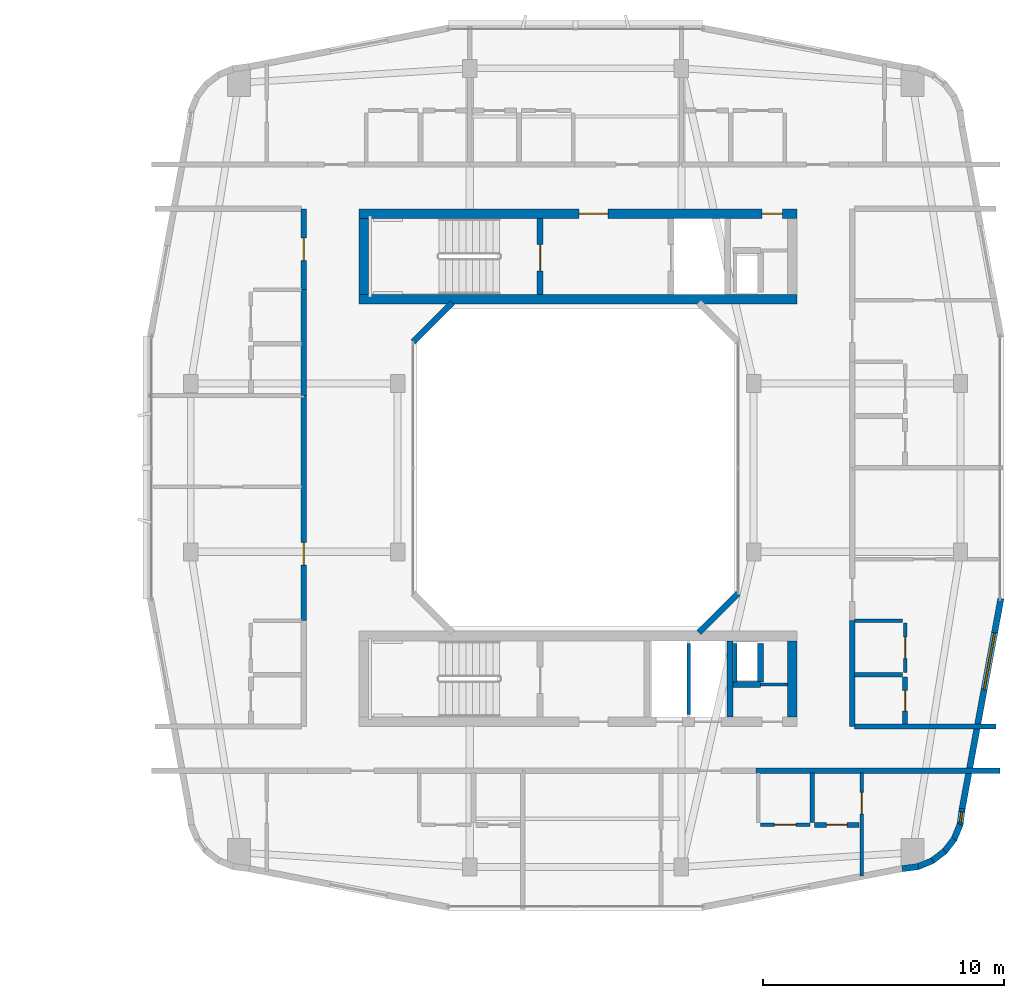
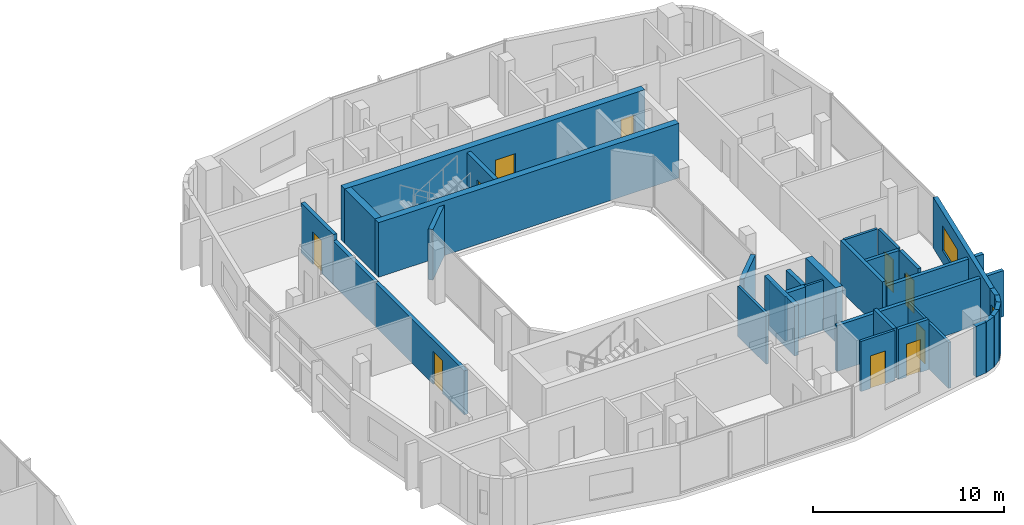
# One storey, part 18 of 26: 34 walls, 10 doors, 2 windows, 12 openings.
"""IFC4 building model written with IfcOpenShell, lengths in metres."""

from ifc_helpers import new_model, si_unit, derived_unit, direction, frame, frame_2d, origin, place, context, subcontext, project, spatial, rectangle, extrude, material, layer, layer_set, type_object, element, fill, save


model = new_model("IFC4")

# Units and contexts
model_context = context("Model", 3, precision=1e-05, world=origin(), true_north=direction((0.0, 1.0)))
body_context = subcontext(model_context, "Body", "Model", "MODEL_VIEW")
ifc_project = project(units=[si_unit("LENGTHUNIT", "METRE"), si_unit("AREAUNIT", "SQUARE_METRE"), si_unit("VOLUMEUNIT", "CUBIC_METRE"), si_unit("PLANEANGLEUNIT", "RADIAN"), si_unit("MASSUNIT", "GRAM", prefix="KILO"), derived_unit("THERMALTRANSMITTANCEUNIT", [(si_unit("POWERUNIT", "WATT"), 1), (si_unit("LENGTHUNIT", "METRE"), -2), (si_unit("THERMODYNAMICTEMPERATUREUNIT", "KELVIN"), -1)])], contexts=[model_context])

# Site, building, storey
site_placement = place(None, origin())
site = spatial("IfcSite", under=ifc_project, at=site_placement, CompositionType="ELEMENT")
building_placement = place(site_placement, origin())
building = spatial("IfcBuilding", under=site, at=building_placement, Name="Kivonza Crest Hotel", CompositionType="ELEMENT")
storey_placement = place(building_placement, frame((0.0, 0.0, 98.5)))
storey = spatial("IfcBuildingStorey", under=building, at=storey_placement, Name="L26", CompositionType="ELEMENT", Elevation=98.5)

# Wall
ifc_material_1 = material(Name="Autoclaved aerated concrete blockwork", Category="masonry")
ifc_layer_1 = layer(ifc_material_1, 0.219970703125)
ifc_layer_set_1 = layer_set([ifc_layer_1], Name="Autoclaved aerated concrete blockwork")
wall_type_1 = type_object("IfcWallType", Name="WL-ACOU-220", PredefinedType="SOLIDWALL", material=ifc_layer_set_1)
wall_1_placement = place(storey_placement, frame((84.510009765625, 12.39990234375, 0.0), z_axis=(0.0, 0.0, 1.0), x_axis=(1.0, 0.0, 0.0)))
element("IfcWall", 1, at=wall_1_placement, inside=storey, type_object=wall_type_1, Name="L26 interior partition WA-L26-A05-RCORR", PredefinedType="SOLIDWALL", context=body_context, shape_type="SweptSolid", body=[
    extrude(rectangle(XDim=10.1298828125, YDim=0.219970703125, at=frame_2d((5.06494140625, 0.0))), origin(), (0.0, 0.0, 1.0), 2.945068359375),
])

# Wall, opening, door
wall_2_placement = place(storey_placement, frame((65.699951171875, 18.639892578125, 0.0), z_axis=(0.0, 0.0, 1.0), x_axis=(0.0, 1.0, 0.0)))
wall_2 = element("IfcWall", 2, at=wall_2_placement, inside=storey, type_object=wall_type_1, Name="L26 interior partition WA-L26-A06-MCORR", PredefinedType="SOLIDWALL", context=body_context, shape_type="SweptSolid", body=[
    extrude(rectangle(XDim=9.360107421875, YDim=0.219970703125, at=frame_2d((4.68017578125, 0.0))), origin(), (0.0, 0.0, 1.0), 2.824951171875),
])
opening_1_placement = place(wall_2_placement, frame((2.304931640625, 0.0, 0.0)))
opening_1 = element("IfcOpeningElement", 3, at=opening_1_placement, cuts=wall_2, Name="Opening DU-60", PredefinedType="OPENING", context=body_context, shape_type="SweptSolid", body=[
    extrude(rectangle(XDim=0.949951171875, YDim=2.10009765625, at=frame_2d((0.47509765625, 1.050048828125))), frame((0.0, 0.1201171875, 0.0), z_axis=(0.0, -1.0, 0.0), x_axis=(1.0, 0.0, 0.0)), (0.0, 0.0, 1.0), 0.239990234375),
])
ifc_material_2 = material(Name="Hardwood timber oak", Category="wood")
door_type_1 = type_object("IfcDoorType", Name="DR-UNIT-950", OperationType="NOTDEFINED", PredefinedType="DOOR", material=ifc_material_2)
door_1_placement = place(opening_1_placement, origin())
door_1 = element("IfcDoor", 4, at=door_1_placement, inside=storey, type_object=door_type_1, Name="L26 A06 apartment entrance fire door", OperationType="SINGLE_SWING_RIGHT", OverallHeight=2.10009765625, OverallWidth=0.949951171875, PredefinedType="DOOR", context=body_context, shape_type="SweptSolid", body=[
    extrude(rectangle(XDim=0.949951171875, YDim=2.10009765625, at=frame_2d((0.47509765625, 1.050048828125))), frame((0.0, 0.02490234375, 0.0), z_axis=(0.0, -1.0, 0.0), x_axis=(1.0, 0.0, 0.0)), (0.0, 0.0, 1.0), 0.050048828125),
])
fill(opening_1, door_1)

# Wall
wall_3_placement = place(storey_placement, frame((65.699951171875, 28.0, 0.0), z_axis=(0.0, 0.0, 1.0), x_axis=(0.0, 1.0, 0.0)))
element("IfcWall", 5, at=wall_3_placement, inside=storey, type_object=wall_type_1, Name="L26 interior partition WA-L26-A07-BCORR", PredefinedType="SOLIDWALL", context=body_context, shape_type="SweptSolid", body=[
    extrude(rectangle(XDim=4.39990234375, YDim=0.219970703125, at=frame_2d((2.199951171875, 0.0))), origin(), (0.0, 0.0, 1.0), 2.824951171875),
])

# Wall, opening, door
wall_4_placement = place(storey_placement, frame((65.699951171875, 32.39990234375, 0.0), z_axis=(0.0, 0.0, 1.0), x_axis=(0.0, 1.0, 0.0)))
wall_4 = element("IfcWall", 6, at=wall_4_placement, inside=storey, type_object=wall_type_1, Name="L26 interior partition WA-L26-A07-MCORR", PredefinedType="SOLIDWALL", context=body_context, shape_type="SweptSolid", body=[
    extrude(rectangle(XDim=3.360107421875, YDim=0.219970703125, at=frame_2d((1.68017578125, 0.0))), origin(), (0.0, 0.0, 1.0), 3.219970703125),
])
opening_2_placement = place(wall_4_placement, frame((1.205078125, 0.0, 0.0)))
opening_2 = element("IfcOpeningElement", 7, at=opening_2_placement, cuts=wall_4, Name="Opening DU-60", PredefinedType="OPENING", context=body_context, shape_type="SweptSolid", body=[
    extrude(rectangle(XDim=0.949951171875, YDim=2.10009765625, at=frame_2d((0.47509765625, 1.050048828125))), frame((0.0, 0.1201171875, 0.0), z_axis=(0.0, -1.0, 0.0), x_axis=(1.0, 0.0, 0.0)), (0.0, 0.0, 1.0), 0.239990234375),
])
door_2_placement = place(opening_2_placement, origin())
door_2 = element("IfcDoor", 8, at=door_2_placement, inside=storey, type_object=door_type_1, Name="L26 A07 apartment entrance fire door", OperationType="SINGLE_SWING_LEFT", OverallHeight=2.10009765625, OverallWidth=0.949951171875, PredefinedType="DOOR", context=body_context, shape_type="SweptSolid", body=[
    extrude(rectangle(XDim=0.949951171875, YDim=2.10009765625, at=frame_2d((0.47509765625, 1.050048828125))), frame((0.0, 0.02490234375, 0.0), z_axis=(0.0, -1.0, 0.0), x_axis=(1.0, 0.0, 0.0)), (0.0, 0.0, 1.0), 0.050048828125),
])
fill(opening_2, door_2)

# Walls
wall_5_placement = place(storey_placement, frame((88.60009765625, 14.239990234375, 0.0), z_axis=(0.0, 0.0, 1.0), x_axis=(1.0, 0.0, 0.0)))
element("IfcWall", 9, at=wall_5_placement, inside=storey, type_object=wall_type_1, Name="L26 interior partition WA-L26-T2E-ENDS", PredefinedType="SOLIDWALL", context=body_context, shape_type="SweptSolid", body=[
    extrude(rectangle(XDim=5.8798828125, YDim=0.219970703125, at=frame_2d((2.93994140625, 0.0))), origin(), (0.0, 0.0, 1.0), 2.945068359375),
])
wall_6_placement = place(storey_placement, frame((88.5, 14.239990234375, 0.0), z_axis=(0.0, 0.0, 1.0), x_axis=(0.0, 1.0, 0.0)))
element("IfcWall", 10, at=wall_6_placement, inside=storey, type_object=wall_type_1, Name="L26 interior partition WA-L26-A08-BCORR", PredefinedType="SOLIDWALL", context=body_context, shape_type="SweptSolid", body=[
    extrude(rectangle(XDim=4.39990234375, YDim=0.219970703125, at=frame_2d((2.199951171875, 0.0))), origin(), (0.0, 0.0, 1.0), 3.219970703125),
])
ifc_material_3 = material(Name="Concrete C50/60", Category="concrete")
ifc_layer_2 = layer(ifc_material_3, 0.39990234375)
ifc_layer_set_2 = layer_set([ifc_layer_2], Name="Concrete C50/60")
wall_type_2 = type_object("IfcWallType", Name="WL-CORE-400", PredefinedType="SHEAR", material=ifc_layer_set_2)
wall_7_placement = place(storey_placement, frame((68.0, 32.0, 0.0), z_axis=(0.0, 0.0, 1.0), x_axis=(1.0, 0.0, 0.0)))
element("IfcWall", 11, at=wall_7_placement, inside=storey, type_object=wall_type_2, Name="Core wall T2-N South L26", PredefinedType="SHEAR", context=body_context, shape_type="SweptSolid", body=[
    extrude(rectangle(XDim=18.199951171875, YDim=0.39990234375, at=frame_2d((9.10009765625, 0.0))), origin(), (0.0, 0.0, 1.0), 3.5),
])

# Wall, openings, doors
wall_8_placement = place(storey_placement, frame((68.0, 35.56005859375, 0.0), z_axis=(0.0, 0.0, 1.0), x_axis=(1.0, 0.0, 0.0)))
wall_8 = element("IfcWall", 12, at=wall_8_placement, inside=storey, type_object=wall_type_2, Name="Core wall T2-N North L26", PredefinedType="SHEAR", context=body_context, shape_type="SweptSolid", body=[
    extrude(rectangle(XDim=18.199951171875, YDim=0.39990234375, at=frame_2d((9.10009765625, 0.0))), origin(), (0.0, 0.0, 1.0), 3.5),
])
opening_3_placement = place(wall_8_placement, frame((9.14990234375, 0.0, 0.0)))
opening_3 = element("IfcOpeningElement", 13, at=opening_3_placement, cuts=wall_8, Name="Opening DF-60", PredefinedType="OPENING", context=body_context, shape_type="SweptSolid", body=[
    extrude(rectangle(XDim=1.199951171875, YDim=2.14990234375, at=frame_2d((0.60009765625, 1.074951171875))), frame((0.0, 0.2099609375, 0.0), z_axis=(0.0, -1.0, 0.0), x_axis=(1.0, 0.0, 0.0)), (0.0, 0.0, 1.0), 0.419921875),
])
opening_4_placement = place(wall_8_placement, frame((16.75, 0.0, 0.0)))
opening_4 = element("IfcOpeningElement", 14, at=opening_4_placement, cuts=wall_8, Name="Opening DF-60R", PredefinedType="OPENING", context=body_context, shape_type="SweptSolid", body=[
    extrude(rectangle(XDim=0.85009765625, YDim=2.10009765625, at=frame_2d((0.425048828125, 1.050048828125))), frame((0.0, 0.2099609375, 0.0), z_axis=(0.0, -1.0, 0.0), x_axis=(1.0, 0.0, 0.0)), (0.0, 0.0, 1.0), 0.419921875),
])
door_type_2 = type_object("IfcDoorType", Name="DR-FD60-1200", OperationType="NOTDEFINED", PredefinedType="DOOR", material=ifc_material_2)
door_3_placement = place(opening_3_placement, origin())
door_3 = element("IfcDoor", 15, at=door_3_placement, inside=storey, type_object=door_type_2, Name="L26 T2-N firefighting lobby fire door", OperationType="SINGLE_SWING_RIGHT", OverallHeight=2.14990234375, OverallWidth=1.199951171875, PredefinedType="DOOR", context=body_context, shape_type="SweptSolid", body=[
    extrude(rectangle(XDim=1.199951171875, YDim=2.14990234375, at=frame_2d((0.60009765625, 1.074951171875))), frame((0.0, 0.02490234375, 0.0), z_axis=(0.0, -1.0, 0.0), x_axis=(1.0, 0.0, 0.0)), (0.0, 0.0, 1.0), 0.050048828125),
])
fill(opening_3, door_3)
door_type_3 = type_object("IfcDoorType", Name="DR-FD60-850", OperationType="NOTDEFINED", PredefinedType="DOOR", material=ifc_material_2)
door_4_placement = place(opening_4_placement, origin())
door_4 = element("IfcDoor", 16, at=door_4_placement, inside=storey, type_object=door_type_3, Name="L26 T2-N core room door", OperationType="SINGLE_SWING_RIGHT", OverallHeight=2.10009765625, OverallWidth=0.85009765625, PredefinedType="DOOR", context=body_context, shape_type="SweptSolid", body=[
    extrude(rectangle(XDim=0.85009765625, YDim=2.10009765625, at=frame_2d((0.425048828125, 1.050048828125))), frame((0.0, 0.02490234375, 0.0), z_axis=(0.0, -1.0, 0.0), x_axis=(1.0, 0.0, 0.0)), (0.0, 0.0, 1.0), 0.050048828125),
])
fill(opening_4, door_4)

# Walls
for number, where, z_axis, x_axis, name in (
    (17, (68.199951171875, 32.199951171875, 0.0), (0.0, 0.0, 1.0), (0.0, 1.0, 0.0), "Core wall T2-N West L26"),
    (18, (86.0, 14.639892578125, 0.0), (0.0, 0.0, 1.0), (0.0, 1.0, 0.0), "Core wall T2-S East L26"),
):
    element("IfcWall", number, at=place(storey_placement, frame(where, z_axis=z_axis, x_axis=x_axis)), inside=storey, type_object=wall_type_2, Name=name, PredefinedType="SHEAR", context=body_context, shape_type="SweptSolid", body=[
        extrude(rectangle(XDim=3.16015625, YDim=0.39990234375, at=frame_2d((1.580078125, 0.0))), origin(), (0.0, 0.0, 1.0), 3.5),
    ])
ifc_material_4 = material(Name="Precast concrete C40/50", Category="concrete")
ifc_layer_3 = layer(ifc_material_4, 0.260009765625)
ifc_layer_set_3 = layer_set([ifc_layer_3], Name="Precast concrete C40/50")
wall_type_3 = type_object("IfcWallType", Name="WL-EXT-260", PredefinedType="STANDARD", material=ifc_layer_set_3)
wall_9_placement = place(storey_placement, frame((90.574951171875, 8.327880859375, 0.0), z_axis=(0.0, 0.0, 1.0), x_axis=(0.991300187529, 0.13162043232, 0.0)))
element("IfcWall", 19, at=wall_9_placement, inside=storey, type_object=wall_type_3, Name="L26 T2 exterior insulated wall 10", PredefinedType="STANDARD", context=body_context, shape_type="SweptSolid", body=[
    extrude(rectangle(XDim=0.677001953125, YDim=0.260009765625, at=frame_2d((0.33837890625, 0.0))), origin(), (0.0, 0.0, 1.0), 3.25),
])
for number, where, z_axis, x_axis, name in (
    (20, (91.199951171875, 8.39892578125, 0.0), (0.0, 0.0, 1.0), (0.924093981904, 0.382165294877, 0.0), "L26 T2 exterior insulated wall 11"),
    (21, (91.801025390625, 8.635986328125, 0.0), (0.0, 0.0, 1.0), (0.792637067512, 0.609693758543, 0.0), "L26 T2 exterior insulated wall 12"),
    (22, (92.320068359375, 9.02099609375, 0.0), (0.0, 0.0, 1.0), (0.609472651958, 0.792807092876, 0.0), "L26 T2 exterior insulated wall 13"),
):
    element("IfcWall", number, at=place(storey_placement, frame(where, z_axis=z_axis, x_axis=x_axis)), inside=storey, type_object=wall_type_3, Name=name, PredefinedType="STANDARD", context=body_context, shape_type="SweptSolid", body=[
        extrude(rectangle(XDim=0.69384765625, YDim=0.260009765625, at=frame_2d((0.346923828125, 0.0))), origin(), (0.0, 0.0, 1.0), 3.25),
    ])
wall_10_placement = place(storey_placement, frame((92.721923828125, 9.527099609375, 0.0), z_axis=(0.0, 0.0, 1.0), x_axis=(0.382289608286, 0.924042561464, 0.0)))
element("IfcWall", 23, at=wall_10_placement, inside=storey, type_object=wall_type_3, Name="L26 T2 exterior insulated wall 14", PredefinedType="STANDARD", context=body_context, shape_type="SweptSolid", body=[
    extrude(rectangle(XDim=0.693603515625, YDim=0.260009765625, at=frame_2d((0.3466796875, 0.0))), origin(), (0.0, 0.0, 1.0), 3.25),
])

# Wall, opening, window
wall_11_placement = place(storey_placement, frame((92.97900390625, 10.118896484375, 0.0), z_axis=(0.0, 0.0, 1.0), x_axis=(0.130614135366, 0.991433279471, 0.0)))
wall_11 = element("IfcWall", 24, at=wall_11_placement, inside=storey, type_object=wall_type_3, Name="L26 T2 exterior insulated wall 15", PredefinedType="STANDARD", context=body_context, shape_type="SweptSolid", body=[
    extrude(rectangle(XDim=0.712158203125, YDim=0.260009765625, at=frame_2d((0.35595703125, 0.0))), origin(), (0.0, 0.0, 1.0), 3.25),
])
opening_5_placement = place(wall_11_placement, frame((0.131103515625, 0.0, 0.85009765625)))
opening_5 = element("IfcOpeningElement", 25, at=opening_5_placement, cuts=wall_11, Name="Opening WN-11", PredefinedType="OPENING", context=body_context, shape_type="SweptSolid", body=[
    extrude(rectangle(XDim=0.449951171875, YDim=1.5, at=frame_2d((0.22509765625, 0.75))), frame((0.0, 0.14013671875, 0.0), z_axis=(0.0, -1.0, 0.0), x_axis=(1.0, 0.0, 0.0)), (0.0, 0.0, 1.0), 0.280029296875),
])
ifc_material_5 = material(Name="Thermally broken bronze aluminium and low-E double glazing", Category="aluminium")
window_type_1 = type_object("IfcWindowType", Name="WN-045x150", PartitioningType="SINGLE_PANEL", PredefinedType="WINDOW", material=ifc_material_5)
window_1_placement = place(opening_5_placement, origin())
window_1 = element("IfcWindow", 26, at=window_1_placement, inside=storey, type_object=window_type_1, Name="L26 corner vision window 6", OverallHeight=1.5, OverallWidth=0.449951171875, PartitioningType="SINGLE_PANEL", PredefinedType="WINDOW", context=body_context, shape_type="SweptSolid", body=[
    extrude(rectangle(XDim=0.449951171875, YDim=1.5, at=frame_2d((0.22509765625, 0.75))), frame((0.0, 0.030029296875, 0.0), z_axis=(0.0, -1.0, 0.0), x_axis=(1.0, 0.0, 0.0)), (0.0, 0.0, 1.0), 0.06005859375),
])
fill(opening_5, window_1)

wall_12_placement = place(storey_placement, frame((93.071044921875, 10.81591796875, 0.0), z_axis=(0.0, 0.0, 1.0), x_axis=(0.181209963057, 0.983444431215, 0.0)))
wall_12 = element("IfcWall", 27, at=wall_12_placement, inside=storey, type_object=wall_type_3, Name="L26 T2 exterior insulated wall 16", PredefinedType="STANDARD", context=body_context, shape_type="SweptSolid", body=[
    extrude(rectangle(XDim=8.889404296875, YDim=0.260009765625, at=frame_2d((4.44482421875, 0.0))), origin(), (0.0, 0.0, 1.0), 3.25),
])
opening_6_placement = place(wall_12_placement, frame((5.044921875, 0.0, 0.800048828125)))
opening_6 = element("IfcOpeningElement", 28, at=opening_6_placement, cuts=wall_12, Name="Opening WN-05", PredefinedType="OPENING", context=body_context, shape_type="SweptSolid", body=[
    extrude(rectangle(XDim=2.39990234375, YDim=1.60009765625, at=frame_2d((1.199951171875, 0.800048828125))), frame((0.0, 0.14013671875, 0.0), z_axis=(0.0, -1.0, 0.0), x_axis=(1.0, 0.0, 0.0)), (0.0, 0.0, 1.0), 0.280029296875),
])
window_type_2 = type_object("IfcWindowType", Name="WN-240x160", PartitioningType="TRIPLE_PANEL_VERTICAL", PredefinedType="WINDOW", material=ifc_material_5)
window_2_placement = place(opening_6_placement, origin())
window_2 = element("IfcWindow", 29, at=window_2_placement, inside=storey, type_object=window_type_2, Name="L26 T2 facade window 16", OverallHeight=1.60009765625, OverallWidth=2.39990234375, PartitioningType="SINGLE_PANEL", PredefinedType="WINDOW", context=body_context, shape_type="SweptSolid", body=[
    extrude(rectangle(XDim=2.39990234375, YDim=1.60009765625, at=frame_2d((1.199951171875, 0.800048828125))), frame((0.0, 0.030029296875, 0.0), z_axis=(0.0, -1.0, 0.0), x_axis=(1.0, 0.0, 0.0)), (0.0, 0.0, 1.0), 0.06005859375),
])
fill(opening_6, window_2)

# Walls
for number, where, z_axis, x_axis, name in (
    (30, (82.1220703125, 18.137939453125, 0.0), (0.0, 0.0, 1.0), (0.707106781187, 0.707106781187, 0.0), "L26 T2 light-well exterior wall 2"),
    (31, (71.8779296875, 31.862060546875, 0.0), (0.0, 0.0, 1.0), (-0.707106781187, -0.707106781187, 0.0), "L26 T2 light-well exterior wall 6"),
):
    element("IfcWall", number, at=place(storey_placement, frame(where, z_axis=z_axis, x_axis=x_axis)), inside=storey, type_object=wall_type_3, Name=name, PredefinedType="STANDARD", context=body_context, shape_type="SweptSolid", body=[
        extrude(rectangle(XDim=2.310791015625, YDim=0.260009765625, at=frame_2d((1.1552734375, 0.0))), origin(), (0.0, 0.0, 1.0), 3.25),
    ])
ifc_material_6 = material(Name="Concrete blockwork fire-compartment wall", Category="masonry")
ifc_layer_4 = layer(ifc_material_6, 0.25)
ifc_layer_set_4 = layer_set([ifc_layer_4], Name="Concrete blockwork fire-compartment wall")
wall_type_4 = type_object("IfcWallType", Name="WL-FIRE-250", PredefinedType="SOLIDWALL", material=ifc_layer_set_4)
wall_13_placement = place(storey_placement, frame((84.679931640625, 16.080078125, 0.0), z_axis=(0.0, 0.0, 1.0), x_axis=(0.0, 1.0, 0.0)))
element("IfcWall", 32, at=wall_13_placement, inside=storey, type_object=wall_type_4, Name="L26 interior partition WA-L26-T2-S-MEPR-E", PredefinedType="SOLIDWALL", context=body_context, shape_type="SweptSolid", body=[
    extrude(rectangle(XDim=1.619873046875, YDim=0.25, at=frame_2d((0.81005859375, 0.0))), origin(), (0.0, 0.0, 1.0), 3.219970703125),
])
wall_14_placement = place(storey_placement, frame((83.550048828125, 15.97998046875, 0.0), z_axis=(0.0, 0.0, 1.0), x_axis=(1.0, 0.0, 0.0)))
element("IfcWall", 33, at=wall_14_placement, inside=storey, type_object=wall_type_4, Name="L26 interior partition WA-L26-T2-S-MEPR-H", PredefinedType="SOLIDWALL", context=body_context, shape_type="SweptSolid", body=[
    extrude(rectangle(XDim=1.1298828125, YDim=0.25, at=frame_2d((0.56494140625, 0.0))), origin(), (0.0, 0.0, 1.0), 3.219970703125),
])
ifc_material_7 = material(Name="Metal-stud gypsum board partition", Category="gypsum")
ifc_layer_5 = layer(ifc_material_7, 0.125)
ifc_layer_set_5 = layer_set([ifc_layer_5], Name="Metal-stud gypsum board partition")
wall_type_5 = type_object("IfcWallType", Name="WL-PART-125", PredefinedType="PARTITIONING", material=ifc_layer_set_5)
wall_15_placement = place(storey_placement, frame((84.679931640625, 15.97998046875, 0.0), z_axis=(0.0, 0.0, 1.0), x_axis=(1.0, 0.0, 0.0)))
element("IfcWall", 34, at=wall_15_placement, inside=storey, type_object=wall_type_5, Name="L26 interior partition WP-L26-T2-S-T2H", PredefinedType="PARTITIONING", context=body_context, shape_type="SweptSolid", body=[
    extrude(rectangle(XDim=1.1201171875, YDim=0.125, at=frame_2d((0.56005859375, 0.0))), origin(), (0.0, 0.0, 1.0), 3.219970703125),
])
ifc_material_8 = material(Name="Twin-stud acoustic gypsum board partition", Category="gypsum")
ifc_layer_6 = layer(ifc_material_8, 0.14990234375)
ifc_layer_set_6 = layer_set([ifc_layer_6], Name="Twin-stud acoustic gypsum board partition")
wall_type_6 = type_object("IfcWallType", Name="WL-PART-150", PredefinedType="PARTITIONING", material=ifc_layer_set_6)
wall_16_placement = place(storey_placement, frame((83.6298828125, 16.080078125, 0.0), z_axis=(0.0, 0.0, 1.0), x_axis=(0.0, 1.0, 0.0)))
element("IfcWall", 35, at=wall_16_placement, inside=storey, type_object=wall_type_6, Name="L26 interior partition WA-L26-T2-S-MEPR-W", PredefinedType="PARTITIONING", context=body_context, shape_type="SweptSolid", body=[
    extrude(rectangle(XDim=1.619873046875, YDim=0.14990234375, at=frame_2d((0.81005859375, 0.0))), origin(), (0.0, 0.0, 1.0), 2.824951171875),
])
wall_17_placement = place(storey_placement, frame((81.699951171875, 14.739990234375, 0.0), z_axis=(0.0, 0.0, 1.0), x_axis=(0.0, 1.0, 0.0)))
element("IfcWall", 36, at=wall_17_placement, inside=storey, type_object=wall_type_6, Name="L26 interior partition WP-L26-T2-S-BSH-1", PredefinedType="PARTITIONING", context=body_context, shape_type="SweptSolid", body=[
    extrude(rectangle(XDim=2.9599609375, YDim=0.14990234375, at=frame_2d((1.47998046875, 0.0))), origin(), (0.0, 0.0, 1.0), 3.219970703125),
])

# Wall, opening, door
wall_18_placement = place(storey_placement, frame((88.889892578125, 8.030029296875, 0.0), z_axis=(0.0, 0.0, 1.0), x_axis=(0.0, 1.0, 0.0)))
wall_18 = element("IfcWall", 37, at=wall_18_placement, inside=storey, type_object=wall_type_6, Name="L26 interior partition WP-L26-A05-BDW2", PredefinedType="PARTITIONING", context=body_context, shape_type="SweptSolid", body=[
    extrude(rectangle(XDim=4.27001953125, YDim=0.14990234375, at=frame_2d((2.135009765625, 0.0))), origin(), (0.0, 0.0, 1.0), 2.945068359375),
])
opening_7_placement = place(wall_18_placement, frame((2.570068359375, 0.0, 0.0)))
opening_7 = element("IfcOpeningElement", 38, at=opening_7_placement, cuts=wall_18, Name="Opening DI-90", PredefinedType="OPENING", context=body_context, shape_type="SweptSolid", body=[
    extrude(rectangle(XDim=0.89990234375, YDim=2.10009765625, at=frame_2d((0.449951171875, 1.050048828125))), frame((0.0, 0.0849609375, 0.0), z_axis=(0.0, -1.0, 0.0), x_axis=(1.0, 0.0, 0.0)), (0.0, 0.0, 1.0), 0.169921875),
])
door_type_4 = type_object("IfcDoorType", Name="DR-INT-900", OperationType="NOTDEFINED", PredefinedType="DOOR", material=ifc_material_2)
door_5_placement = place(opening_7_placement, origin())
door_5 = element("IfcDoor", 39, at=door_5_placement, inside=storey, type_object=door_type_4, Name="L26 A05 bedroom 2 door", OperationType="SINGLE_SWING_LEFT", OverallHeight=2.10009765625, OverallWidth=0.89990234375, PredefinedType="DOOR", context=body_context, shape_type="SweptSolid", body=[
    extrude(rectangle(XDim=0.89990234375, YDim=2.10009765625, at=frame_2d((0.449951171875, 1.050048828125))), frame((0.0, 0.02490234375, 0.0), z_axis=(0.0, -1.0, 0.0), x_axis=(1.0, 0.0, 0.0)), (0.0, 0.0, 1.0), 0.050048828125),
])
fill(opening_7, door_5)

wall_19_placement = place(storey_placement, frame((84.68994140625, 10.14990234375, 0.0), z_axis=(0.0, 0.0, 1.0), x_axis=(1.0, 0.0, 0.0)))
wall_19 = element("IfcWall", 40, at=wall_19_placement, inside=storey, type_object=wall_type_6, Name="L26 interior partition WP-L26-A05-KSVC", PredefinedType="PARTITIONING", context=body_context, shape_type="SweptSolid", body=[
    extrude(rectangle(XDim=2.050048828125, YDim=0.14990234375, at=frame_2d((1.02490234375, 0.0))), origin(), (0.0, 0.0, 1.0), 3.219970703125),
])
opening_8_placement = place(wall_19_placement, frame((0.574951171875, 0.0, 0.0)))
opening_8 = element("IfcOpeningElement", 41, at=opening_8_placement, cuts=wall_19, Name="Opening DI-90", PredefinedType="OPENING", context=body_context, shape_type="SweptSolid", body=[
    extrude(rectangle(XDim=0.89990234375, YDim=2.10009765625, at=frame_2d((0.449951171875, 1.050048828125))), frame((0.0, 0.0849609375, 0.0), z_axis=(0.0, -1.0, 0.0), x_axis=(1.0, 0.0, 0.0)), (0.0, 0.0, 1.0), 0.169921875),
])
door_6_placement = place(opening_8_placement, frame((0.89990234375, 0.0, 0.0), z_axis=(0.0, 0.0, 1.0), x_axis=(-1.0, 0.0, 0.0)))
door_6 = element("IfcDoor", 42, at=door_6_placement, inside=storey, type_object=door_type_4, Name="L26 A05 apartment kitchen door", OperationType="SINGLE_SWING_LEFT", OverallHeight=2.10009765625, OverallWidth=0.89990234375, PredefinedType="DOOR", context=body_context, shape_type="SweptSolid", body=[
    extrude(rectangle(XDim=0.89990234375, YDim=2.10009765625, at=frame_2d((0.449951171875, 1.050048828125))), frame((0.0, 0.02490234375, 0.0), z_axis=(0.0, -1.0, 0.0), x_axis=(1.0, 0.0, 0.0)), (0.0, 0.0, 1.0), 0.050048828125),
])
fill(opening_8, door_6)

# Wall
wall_20_placement = place(storey_placement, frame((88.60009765625, 18.639892578125, 0.0), z_axis=(0.0, 0.0, 1.0), x_axis=(1.0, 0.0, 0.0)))
element("IfcWall", 43, at=wall_20_placement, inside=storey, type_object=wall_type_6, Name="L26 interior partition WP-L26-A08-KF", PredefinedType="PARTITIONING", context=body_context, shape_type="SweptSolid", body=[
    extrude(rectangle(XDim=2.0, YDim=0.14990234375, at=frame_2d((1.0, 0.0))), origin(), (0.0, 0.0, 1.0), 3.219970703125),
])

# Wall, opening, door
wall_21_placement = place(storey_placement, frame((90.699951171875, 16.489990234375, 0.0), z_axis=(0.0, 0.0, 1.0), x_axis=(0.0, 1.0, 0.0)))
wall_21 = element("IfcWall", 44, at=wall_21_placement, inside=storey, type_object=wall_type_6, Name="L26 interior partition WP-L26-A08-KSVC", PredefinedType="PARTITIONING", context=body_context, shape_type="SweptSolid", body=[
    extrude(rectangle(XDim=2.050048828125, YDim=0.14990234375, at=frame_2d((1.02490234375, 0.0))), origin(), (0.0, 0.0, 1.0), 3.219970703125),
])
opening_9_placement = place(wall_21_placement, frame((0.574951171875, 0.0, 0.0)))
opening_9 = element("IfcOpeningElement", 45, at=opening_9_placement, cuts=wall_21, Name="Opening DI-90", PredefinedType="OPENING", context=body_context, shape_type="SweptSolid", body=[
    extrude(rectangle(XDim=0.89990234375, YDim=2.10009765625, at=frame_2d((0.449951171875, 1.050048828125))), frame((0.0, 0.0849609375, 0.0), z_axis=(0.0, -1.0, 0.0), x_axis=(1.0, 0.0, 0.0)), (0.0, 0.0, 1.0), 0.169921875),
])
door_7_placement = place(opening_9_placement, frame((0.89990234375, 0.0, 0.0), z_axis=(0.0, 0.0, 1.0), x_axis=(-1.0, 0.0, 0.0)))
door_7 = element("IfcDoor", 46, at=door_7_placement, inside=storey, type_object=door_type_4, Name="L26 A08 apartment kitchen door", OperationType="SINGLE_SWING_RIGHT", OverallHeight=2.10009765625, OverallWidth=0.89990234375, PredefinedType="DOOR", context=body_context, shape_type="SweptSolid", body=[
    extrude(rectangle(XDim=0.89990234375, YDim=2.10009765625, at=frame_2d((0.449951171875, 1.050048828125))), frame((0.0, 0.02490234375, 0.0), z_axis=(0.0, -1.0, 0.0), x_axis=(1.0, 0.0, 0.0)), (0.0, 0.0, 1.0), 0.050048828125),
])
fill(opening_9, door_7)

# Wall
ifc_material_9 = material(Name="Moisture-resistant plumbing chase partition wall", Category="gypsum")
ifc_layer_7 = layer(ifc_material_9, 0.199951171875)
ifc_layer_set_7 = layer_set([ifc_layer_7], Name="Moisture-resistant plumbing chase partition wall")
wall_type_7 = type_object("IfcWallType", Name="WL-PLUMB-200", PredefinedType="PLUMBINGWALL", material=ifc_layer_set_7)
wall_22_placement = place(storey_placement, frame((86.840087890625, 10.25, 0.0), z_axis=(0.0, 0.0, 1.0), x_axis=(0.0, 1.0, 0.0)))
element("IfcWall", 47, at=wall_22_placement, inside=storey, type_object=wall_type_7, Name="L26 interior partition WW-L26-A05-BK", PredefinedType="PLUMBINGWALL", context=body_context, shape_type="SweptSolid", body=[
    extrude(rectangle(XDim=2.050048828125, YDim=0.199951171875, at=frame_2d((1.02490234375, 0.0))), origin(), (0.0, 0.0, 1.0), 3.219970703125),
])

# Wall, opening, door
wall_23_placement = place(storey_placement, frame((86.93994140625, 10.14990234375, 0.0), z_axis=(0.0, 0.0, 1.0), x_axis=(1.0, 0.0, 0.0)))
wall_23 = element("IfcWall", 48, at=wall_23_placement, inside=storey, type_object=wall_type_7, Name="L26 interior partition WW-L26-A05-BSVC", PredefinedType="PLUMBINGWALL", context=body_context, shape_type="SweptSolid", body=[
    extrude(rectangle(XDim=1.85009765625, YDim=0.199951171875, at=frame_2d((0.925048828125, 0.0))), origin(), (0.0, 0.0, 1.0), 3.219970703125),
])
opening_10_placement = place(wall_23_placement, frame((0.5, 0.0, 0.0)))
opening_10 = element("IfcOpeningElement", 49, at=opening_10_placement, cuts=wall_23, Name="Opening DI-85", PredefinedType="OPENING", context=body_context, shape_type="SweptSolid", body=[
    extrude(rectangle(XDim=0.85009765625, YDim=2.10009765625, at=frame_2d((0.425048828125, 1.050048828125))), frame((0.0, 0.10986328125, 0.0), z_axis=(0.0, -1.0, 0.0), x_axis=(1.0, 0.0, 0.0)), (0.0, 0.0, 1.0), 0.219970703125),
])
door_type_5 = type_object("IfcDoorType", Name="DR-INT-850", OperationType="NOTDEFINED", PredefinedType="DOOR", material=ifc_material_2)
door_8_placement = place(opening_10_placement, frame((0.85009765625, 0.0, 0.0), z_axis=(0.0, 0.0, 1.0), x_axis=(-1.0, 0.0, 0.0)))
door_8 = element("IfcDoor", 50, at=door_8_placement, inside=storey, type_object=door_type_5, Name="L26 A05 apartment bathroom door", OperationType="SINGLE_SWING_RIGHT", OverallHeight=2.10009765625, OverallWidth=0.85009765625, PredefinedType="DOOR", context=body_context, shape_type="SweptSolid", body=[
    extrude(rectangle(XDim=0.85009765625, YDim=2.10009765625, at=frame_2d((0.425048828125, 1.050048828125))), frame((0.0, 0.02490234375, 0.0), z_axis=(0.0, -1.0, 0.0), x_axis=(1.0, 0.0, 0.0)), (0.0, 0.0, 1.0), 0.050048828125),
])
fill(opening_10, door_8)

# Wall
wall_24_placement = place(storey_placement, frame((88.60009765625, 16.389892578125, 0.0), z_axis=(0.0, 0.0, 1.0), x_axis=(1.0, 0.0, 0.0)))
element("IfcWall", 51, at=wall_24_placement, inside=storey, type_object=wall_type_7, Name="L26 interior partition WW-L26-A08-BK", PredefinedType="PLUMBINGWALL", context=body_context, shape_type="SweptSolid", body=[
    extrude(rectangle(XDim=2.0, YDim=0.199951171875, at=frame_2d((1.0, 0.0))), origin(), (0.0, 0.0, 1.0), 3.219970703125),
])

# Wall, opening, door
wall_25_placement = place(storey_placement, frame((90.699951171875, 14.340087890625, 0.0), z_axis=(0.0, 0.0, 1.0), x_axis=(0.0, 1.0, 0.0)))
wall_25 = element("IfcWall", 52, at=wall_25_placement, inside=storey, type_object=wall_type_7, Name="L26 interior partition WW-L26-A08-BSVC", PredefinedType="PLUMBINGWALL", context=body_context, shape_type="SweptSolid", body=[
    extrude(rectangle(XDim=1.949951171875, YDim=0.199951171875, at=frame_2d((0.97509765625, 0.0))), origin(), (0.0, 0.0, 1.0), 3.219970703125),
])
opening_11_placement = place(wall_25_placement, frame((0.550048828125, 0.0, 0.0)))
opening_11 = element("IfcOpeningElement", 53, at=opening_11_placement, cuts=wall_25, Name="Opening DI-85", PredefinedType="OPENING", context=body_context, shape_type="SweptSolid", body=[
    extrude(rectangle(XDim=0.85009765625, YDim=2.10009765625, at=frame_2d((0.425048828125, 1.050048828125))), frame((0.0, 0.10986328125, 0.0), z_axis=(0.0, -1.0, 0.0), x_axis=(1.0, 0.0, 0.0)), (0.0, 0.0, 1.0), 0.219970703125),
])
door_9_placement = place(opening_11_placement, frame((0.85009765625, 0.0, 0.0), z_axis=(0.0, 0.0, 1.0), x_axis=(-1.0, 0.0, 0.0)))
door_9 = element("IfcDoor", 54, at=door_9_placement, inside=storey, type_object=door_type_5, Name="L26 A08 apartment bathroom door", OperationType="SINGLE_SWING_LEFT", OverallHeight=2.10009765625, OverallWidth=0.85009765625, PredefinedType="DOOR", context=body_context, shape_type="SweptSolid", body=[
    extrude(rectangle(XDim=0.85009765625, YDim=2.10009765625, at=frame_2d((0.425048828125, 1.050048828125))), frame((0.0, 0.02490234375, 0.0), z_axis=(0.0, -1.0, 0.0), x_axis=(1.0, 0.0, 0.0)), (0.0, 0.0, 1.0), 0.050048828125),
])
fill(opening_11, door_9)

ifc_layer_8 = layer(ifc_material_3, 0.25)
ifc_layer_set_8 = layer_set([ifc_layer_8], Name="Concrete C50/60")
wall_type_8 = type_object("IfcWallType", Name="WL-SHAFT-250", PredefinedType="STANDARD", material=ifc_layer_set_8)
wall_26_placement = place(storey_placement, frame((75.52490234375, 32.199951171875, 0.0), z_axis=(0.0, 0.0, 1.0), x_axis=(0.0, 1.0, 0.0)))
wall_26 = element("IfcWall", 55, at=wall_26_placement, inside=storey, type_object=wall_type_8, Name="Core shaft wall T2-N STAIR L26", PredefinedType="STANDARD", context=body_context, shape_type="SweptSolid", body=[
    extrude(rectangle(XDim=3.16015625, YDim=0.25, at=frame_2d((1.580078125, 0.0))), origin(), (0.0, 0.0, 1.0), 3.25),
])
opening_12_placement = place(wall_26_placement, frame((0.97998046875, 0.0, 0.0)))
opening_12 = element("IfcOpeningElement", 56, at=opening_12_placement, cuts=wall_26, Name="Opening DF-120", PredefinedType="OPENING", context=body_context, shape_type="SweptSolid", body=[
    extrude(rectangle(XDim=1.10009765625, YDim=2.14990234375, at=frame_2d((0.550048828125, 1.074951171875))), frame((0.0, 0.135009765625, 0.0), z_axis=(0.0, -1.0, 0.0), x_axis=(1.0, 0.0, 0.0)), (0.0, 0.0, 1.0), 0.27001953125),
])
ifc_material_10 = material(Name="Galvanised steel", Category="steel")
door_type_6 = type_object("IfcDoorType", Name="DR-FD120-1100", OperationType="NOTDEFINED", PredefinedType="DOOR", material=ifc_material_10)
door_10_placement = place(opening_12_placement, frame((1.10009765625, 0.0, 0.0), z_axis=(0.0, 0.0, 1.0), x_axis=(-1.0, 0.0, 0.0)))
door_10 = element("IfcDoor", 57, at=door_10_placement, inside=storey, type_object=door_type_6, Name="L26 T2-N stair fire door", OperationType="SINGLE_SWING_LEFT", OverallHeight=2.14990234375, OverallWidth=1.10009765625, PredefinedType="DOOR", context=body_context, shape_type="SweptSolid", body=[
    extrude(rectangle(XDim=1.10009765625, YDim=2.14990234375, at=frame_2d((0.550048828125, 1.074951171875))), frame((0.0, 0.02490234375, 0.0), z_axis=(0.0, -1.0, 0.0), x_axis=(1.0, 0.0, 0.0)), (0.0, 0.0, 1.0), 0.050048828125),
])
fill(opening_12, door_10)

# Wall
wall_27_placement = place(storey_placement, frame((83.425048828125, 14.639892578125, 0.0), z_axis=(0.0, 0.0, 1.0), x_axis=(0.0, 1.0, 0.0)))
element("IfcWall", 58, at=wall_27_placement, inside=storey, type_object=wall_type_8, Name="Core shaft wall T2-S BANK-E L26", PredefinedType="STANDARD", context=body_context, shape_type="SweptSolid", body=[
    extrude(rectangle(XDim=3.16015625, YDim=0.25, at=frame_2d((1.580078125, 0.0))), origin(), (0.0, 0.0, 1.0), 3.25),
])

save(model, "model.ifc")
